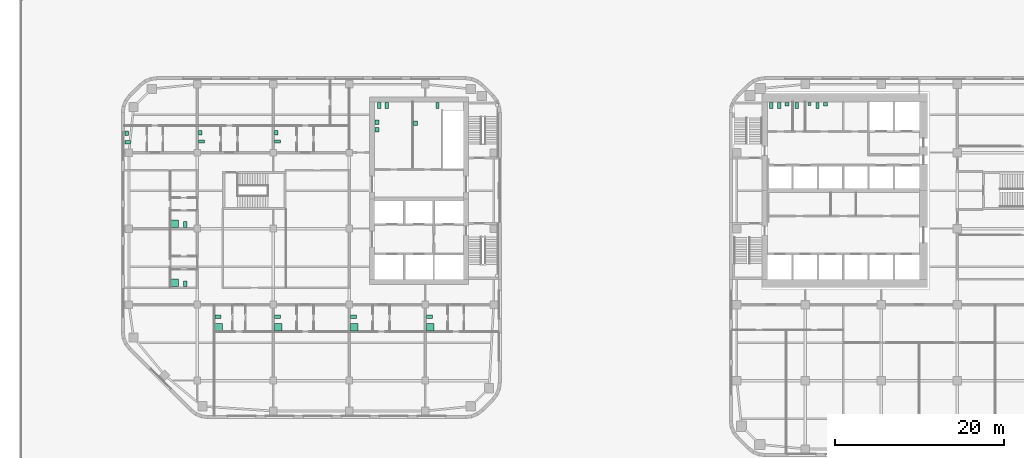
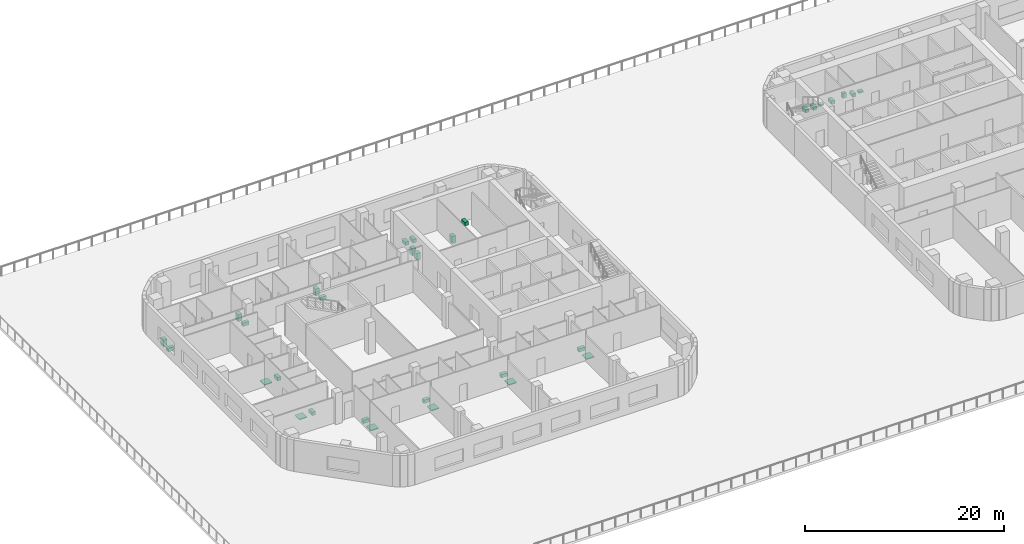
# One storey, part 18 of 18: 31 sanitary terminals.
"""IFC4 building model written with IfcOpenShell, lengths in metres."""

import ifcopenshell
import ifcopenshell.guid

model = None  # the IFC model being written
_history = None  # IfcOwnerHistory: only IFC2X3 demands one
_inside = {}  # id of a spatial element -> (the spatial element, [elements in it])
_under = {}  # id of a project, library or spatial element -> (it, [spatial elements below it])
_declared = {}  # id of a project -> (the project, [libraries it declares])
_typed = {}  # id of a type object -> (the type object, [elements of that type])
_made_of = {}  # id of a material, layer set ... -> (it, [elements and type objects made of it])


def new_model(schema):
    """Start an empty IFC model of exactly this schema.

    Asked for "IFC4X3", IfcOpenShell would pick the latest addendum, in which some entities
    have other attributes; the version numbers below select the first issue.
    IFC2X3 requires an IfcOwnerHistory on every rooted entity: one is made here for all.
    """
    global model, _history
    if schema == "IFC4X3":
        model = ifcopenshell.file(schema_version=(4, 3, 0, 0))
    else:
        model = ifcopenshell.file(schema=schema)
    _inside.clear()
    _under.clear()
    _declared.clear()
    _typed.clear()
    _made_of.clear()
    _history = None
    if model.schema == "IFC2X3":
        org = make("IfcOrganization", Name="unknown")
        user = make(
            "IfcPersonAndOrganization",
            ThePerson=make("IfcPerson", FamilyName="unknown"),
            TheOrganization=org,
        )
        app = make(
            "IfcApplication",
            ApplicationDeveloper=org,
            Version="unknown",
            ApplicationFullName="unknown",
            ApplicationIdentifier="unknown",
        )
        _history = make(
            "IfcOwnerHistory",
            OwningUser=user,
            OwningApplication=app,
            ChangeAction="ADDED",
            CreationDate=0,
        )
    return model


def make(cls, **values):
    """One entity of the class cls with the attributes given. An attribute that is None is left unset."""
    return model.create_entity(
        cls, **{name: value for name, value in values.items() if value is not None}
    )


def rooted(cls, **values):
    """An entity with a GlobalId (a new one), such as an element, a storey or a relation."""
    return make(cls, GlobalId=ifcopenshell.guid.new(), OwnerHistory=_history, **values)


def si_unit(unit_type, name, prefix=None):
    """IfcSIUnit, for example si_unit("LENGTHUNIT", "METRE", prefix="MILLI")."""
    return make("IfcSIUnit", UnitType=unit_type, Prefix=prefix, Name=name)


def assignment(units):
    """IfcUnitAssignment: the units of a project."""
    return None if units is None else make("IfcUnitAssignment", Units=units)


def point(xyz):
    """IfcCartesianPoint."""
    return None if xyz is None else make("IfcCartesianPoint", Coordinates=xyz)


def direction(xyz):
    """IfcDirection."""
    return None if xyz is None else make("IfcDirection", DirectionRatios=xyz)


def frame(location, z_axis=None, x_axis=None):
    """IfcAxis2Placement3D, a coordinate frame: its origin and axes. An axis left out is left unset."""
    return make(
        "IfcAxis2Placement3D",
        Location=point(location),
        Axis=direction(z_axis),
        RefDirection=direction(x_axis),
    )


def frame_2d(location, x_axis=None):
    """IfcAxis2Placement2D, a coordinate frame in the plane: its origin and x axis."""
    return make(
        "IfcAxis2Placement2D", Location=point(location), RefDirection=direction(x_axis)
    )


def origin():
    """The frame at (0, 0, 0) with its axes left unset."""
    return frame((0.0, 0.0, 0.0))


def origin_2d():
    """The frame at (0, 0) in the plane with its x axis left unset."""
    return frame_2d((0.0, 0.0))


def place(relative_to, where):
    """IfcLocalPlacement: puts the frame where relative to a parent placement (None: the world)."""
    return make(
        "IfcLocalPlacement", PlacementRelTo=relative_to, RelativePlacement=where
    )


def context(
    kind, dimensions, precision=None, world=None, true_north=None, identifier=None
):
    """IfcGeometricRepresentationContext, for example the 3D "Model" context."""
    return make(
        "IfcGeometricRepresentationContext",
        ContextIdentifier=identifier,
        ContextType=kind,
        CoordinateSpaceDimension=dimensions,
        Precision=precision,
        WorldCoordinateSystem=world,
        TrueNorth=true_north,
    )


def subcontext(parent, identifier, kind, view, scale=None):
    """IfcGeometricRepresentationSubContext, for example "Body" below "Model"."""
    return make(
        "IfcGeometricRepresentationSubContext",
        ContextIdentifier=identifier,
        ContextType=kind,
        ParentContext=parent,
        TargetScale=scale,
        TargetView=view,
    )


def project(units=None, contexts=None):
    """IfcProject with its units and contexts."""
    return rooted(
        "IfcProject",
        Name="project",
        RepresentationContexts=contexts,
        UnitsInContext=assignment(units),
    )


def spatial(cls, under=None, at=None, **own):
    """A site, building, storey or space (cls), placed at a placement, below another one or the project."""
    s = rooted(cls, ObjectPlacement=at, **own)
    if under is not None:
        _under.setdefault(under.id(), (under, []))[1].append(s)
    return s


def profile(cls, at=None, kind="AREA", **sizes):
    """A parametric profile (cls). Its sizes go by their IFC names, for example OverallWidth=200.0."""
    return make(cls, ProfileType=kind, Position=at, **sizes)


def rectangle(**sizes):
    """IfcRectangleProfileDef."""
    return profile("IfcRectangleProfileDef", **sizes)


def extrude(swept, where, along, depth):
    """IfcExtrudedAreaSolid: the profile swept, set in the frame where, extruded along a direction by depth."""
    return make(
        "IfcExtrudedAreaSolid",
        SweptArea=swept,
        Position=where,
        ExtrudedDirection=direction(along),
        Depth=depth,
    )


def shape(context_of_items, identifier, shape_type, items):
    """IfcShapeRepresentation: the items that make up one representation, for example the "Body"."""
    return make(
        "IfcShapeRepresentation",
        ContextOfItems=context_of_items,
        RepresentationIdentifier=identifier,
        RepresentationType=shape_type,
        Items=items,
    )


def material(Name=None, Category=None):
    """IfcMaterial."""
    return make("IfcMaterial", Name=Name, Category=Category)


def made_of(thing, what):
    """Note that an element or type object is made of a material, layer set ...; save() writes the relation."""
    if what is not None:
        _made_of.setdefault(what.id(), (what, []))[1].append(thing)
    return thing


def type_object(cls, material=None, **own):
    """A type object (cls), such as IfcWallType, which elements share."""
    return made_of(rooted(cls, **own), material)


def element(
    cls,
    number,
    at=None,
    inside=None,
    cuts=None,
    type_object=None,
    material=None,
    context=None,
    identifier="Body",
    shape_type=None,
    held_by="IfcProductDefinitionShape",
    body=None,
    shapes=None,
    **own,
):
    """One element of the class cls, such as IfcWall. Its Tag is "e" and its number.

    at: its placement. inside: the storey or other place that contains it. cuts: it is an
    opening in that element (IfcRelVoidsElement). A single representation is given by context,
    identifier, shape_type and body (its items); several are given by shapes. held_by: the class
    of the entity that holds the representations. save() writes the other relations.
    """
    e = rooted(cls, Tag="e%d" % number, ObjectPlacement=at, **own)
    if body is not None:
        shapes = [shape(context, identifier, shape_type, body)]
    if shapes is not None:
        e.Representation = make(held_by, Representations=shapes)
    if inside is not None:
        _inside.setdefault(inside.id(), (inside, []))[1].append(e)
    if cuts is not None:
        rooted(
            "IfcRelVoidsElement", RelatingBuildingElement=cuts, RelatedOpeningElement=e
        )
    if type_object is not None:
        _typed.setdefault(type_object.id(), (type_object, []))[1].append(e)
    return made_of(e, material)


def aggregate(whole, parts):
    """IfcRelAggregates: a whole, such as a stair, and the parts it consists of."""
    return rooted("IfcRelAggregates", RelatingObject=whole, RelatedObjects=parts)


def save(model, path):
    """Write the relations noted so far, then the file.

    IfcRelAggregates (storeys below a building ...), IfcRelContainedInSpatialStructure (elements
    in a storey), IfcRelDefinesByType, IfcRelAssociatesMaterial and IfcRelDeclares: one each for
    every whole, place, type object, material and project.
    """
    for whole, parts in _under.values():
        aggregate(whole, parts)
    for where, things in _inside.values():
        rooted(
            "IfcRelContainedInSpatialStructure",
            RelatedElements=things,
            RelatingStructure=where,
        )
    for kind, things in _typed.values():
        rooted("IfcRelDefinesByType", RelatedObjects=things, RelatingType=kind)
    for what, things in _made_of.values():
        rooted("IfcRelAssociatesMaterial", RelatedObjects=things, RelatingMaterial=what)
    for by, libraries in _declared.values():
        rooted("IfcRelDeclares", RelatingContext=by, RelatedDefinitions=libraries)
    model.write(path)


model = new_model("IFC4")

# Units and contexts
model_context = context("Model", 3, precision=1e-05, world=origin(), true_north=direction((0.0, 1.0)))
body_context = subcontext(model_context, "Body", "Model", "MODEL_VIEW")
ifc_project = project(units=[si_unit("LENGTHUNIT", "METRE"), si_unit("AREAUNIT", "SQUARE_METRE"), si_unit("VOLUMEUNIT", "CUBIC_METRE"), si_unit("PLANEANGLEUNIT", "RADIAN"), si_unit("MASSUNIT", "GRAM", prefix="KILO")], contexts=[model_context])

# Site, building, storey
site_placement = place(None, origin())
site = spatial("IfcSite", under=ifc_project, at=site_placement, CompositionType="ELEMENT")
building_placement = place(site_placement, origin())
building = spatial("IfcBuilding", under=site, at=building_placement, Name="Cinnabar Reach Civic Tower", CompositionType="ELEMENT")
storey_placement = place(building_placement, frame((0.0, 0.0, 26.0)))
storey = spatial("IfcBuildingStorey", under=building, at=storey_placement, Name="L05", CompositionType="ELEMENT", Elevation=26.0)

# Sanitary terminals
ifc_material_1 = material(Name="Vitreous china")
sanitary_terminal_type_1 = type_object("IfcSanitaryTerminalType", Name="T1 WC pan", PredefinedType="TOILETPAN", material=ifc_material_1)
for number, where, z_axis, x_axis, name in (
    (1, (4.95, 41.6, 0.0), (0.0, 0.0, 1.0), (1.0, 0.0, 0.0), "T1 WC pan 0507-1"),
    (2, (5.9, 41.6, 0.0), (0.0, 0.0, 1.0), (1.0, 0.0, 0.0), "T1 WC pan 0507-2"),
    (3, (8.0, 41.6, 0.0), (0.0, 0.0, 1.0), (1.0, 0.0, 0.0), "T1 WC pan 0508-1"),
    (4, (10.45, 41.6, 0.0), (0.0, 0.0, 1.0), (1.0, 0.0, 0.0), "T1 WC pan 0509-2"),
):
    element("IfcSanitaryTerminal", number, at=place(storey_placement, frame(where, z_axis=z_axis, x_axis=x_axis)), inside=storey, type_object=sanitary_terminal_type_1, Name=name, PredefinedType="TOILETPAN", context=body_context, shape_type="SweptSolid", body=[
        extrude(rectangle(XDim=0.4, YDim=0.7, at=origin_2d()), origin(), (0.0, 0.0, 1.0), 0.4),
    ])
sanitary_terminal_type_2 = type_object("IfcSanitaryTerminalType", Name="T1 urinal", PredefinedType="URINAL", material=ifc_material_1)
sanitary_terminal_placement = place(storey_placement, frame((9.5, 41.775, 0.0), z_axis=(0.0, 0.0, 1.0), x_axis=(1.0, 0.0, 0.0)))
element("IfcSanitaryTerminal", 5, at=sanitary_terminal_placement, inside=storey, type_object=sanitary_terminal_type_2, Name="T1 urinal 0509-1", PredefinedType="URINAL", context=body_context, shape_type="SweptSolid", body=[
    extrude(rectangle(XDim=0.4, YDim=0.35, at=origin_2d()), origin(), (0.0, 0.0, 1.0), 0.6),
])
sanitary_terminal_type_3 = type_object("IfcSanitaryTerminalType", Name="T1 wash basin", PredefinedType="WASHHANDBASIN", material=ifc_material_1)
for number, where, z_axis, x_axis, name in (
    (6, (6.85, 41.74, 0.0), (0.0, 0.0, 1.0), (1.0, 0.0, 0.0), "T1 wash basin 0507-3"),
    (7, (11.4, 41.74, 0.0), (0.0, 0.0, 1.0), (1.0, 0.0, 0.0), "T1 wash basin 0509-3"),
):
    element("IfcSanitaryTerminal", number, at=place(storey_placement, frame(where, z_axis=z_axis, x_axis=x_axis)), inside=storey, type_object=sanitary_terminal_type_3, Name=name, PredefinedType="WASHHANDBASIN", context=body_context, shape_type="SweptSolid", body=[
        extrude(rectangle(XDim=0.5, YDim=0.42, at=origin_2d()), origin(), (0.0, 0.0, 1.0), 0.2),
    ])
ifc_material_2 = material(Name="Acrylic tray")
sanitary_terminal_type_4 = type_object("IfcSanitaryTerminalType", Name="T2 Shower tray", PredefinedType="SHOWER", material=ifc_material_2)
for number, where, z_axis, x_axis, name in (
    (8, (-60.45, 15.3, 0.0), (0.0, 0.0, 1.0), (1.0, 0.0, 0.0), "Shower tray"),
    (9, (-53.425, 15.3, 0.0), (0.0, 0.0, 1.0), (1.0, 0.0, 0.0), "Shower tray"),
    (10, (-44.425, 15.3, 0.0), (0.0, 0.0, 1.0), (1.0, 0.0, 0.0), "Shower tray"),
    (11, (-35.425, 15.3, 0.0), (0.0, 0.0, 1.0), (1.0, 0.0, 0.0), "Shower tray"),
    (12, (-65.7, 20.575, 0.0), (0.0, 0.0, 1.0), (1.0, 0.0, 0.0), "Shower tray"),
    (13, (-65.7, 27.575, 0.0), (0.0, 0.0, 1.0), (1.0, 0.0, 0.0), "Shower tray"),
):
    element("IfcSanitaryTerminal", number, at=place(storey_placement, frame(where, z_axis=z_axis, x_axis=x_axis)), inside=storey, type_object=sanitary_terminal_type_4, Name=name, PredefinedType="SHOWER", context=body_context, shape_type="SweptSolid", body=[
        extrude(rectangle(XDim=0.9, YDim=0.9, at=origin_2d()), origin(), (0.0, 0.0, 1.0), 0.1),
    ])
sanitary_terminal_type_5 = type_object("IfcSanitaryTerminalType", Name="T2 WC pan", PredefinedType="TOILETPAN", material=ifc_material_1)
for number, where, z_axis, x_axis, name in (
    (14, (-41.45, 41.6, 0.0), (0.0, 0.0, 1.0), (1.0, 0.0, 0.0), "WC pan"),
    (15, (-40.55, 41.6, 0.0), (0.0, 0.0, 1.0), (1.0, 0.0, 0.0), "WC pan"),
    (16, (-34.55, 41.6, 0.0), (0.0, 0.0, 1.0), (1.0, 0.0, 0.0), "WC pan"),
):
    element("IfcSanitaryTerminal", number, at=place(storey_placement, frame(where, z_axis=z_axis, x_axis=x_axis)), inside=storey, type_object=sanitary_terminal_type_5, Name=name, PredefinedType="TOILETPAN", context=body_context, shape_type="SweptSolid", body=[
        extrude(rectangle(XDim=0.4, YDim=0.7, at=origin_2d()), origin(), (0.0, 0.0, 1.0), 0.42),
    ])
for number, where, z_axis, x_axis, name in (
    (17, (-60.55, 16.55, 0.0), (0.0, 0.0, 1.0), (1.0, 0.0, 0.0), "WC pan"),
    (18, (-53.525, 16.55, 0.0), (0.0, 0.0, 1.0), (1.0, 0.0, 0.0), "WC pan"),
    (19, (-44.525, 16.55, 0.0), (0.0, 0.0, 1.0), (1.0, 0.0, 0.0), "WC pan"),
    (20, (-35.525, 16.55, 0.0), (0.0, 0.0, 1.0), (1.0, 0.0, 0.0), "WC pan"),
    (21, (-71.24, 37.25, 0.0), (0.0, 0.0, 1.0), (1.0, 0.0, 0.0), "WC pan"),
    (22, (-62.525, 37.325, 0.0), (0.0, 0.0, 1.0), (1.0, 0.0, 0.0), "WC pan"),
    (23, (-53.525, 37.325, 0.0), (0.0, 0.0, 1.0), (1.0, 0.0, 0.0), "WC pan"),
):
    element("IfcSanitaryTerminal", number, at=place(storey_placement, frame(where, z_axis=z_axis, x_axis=x_axis)), inside=storey, type_object=sanitary_terminal_type_5, Name=name, PredefinedType="TOILETPAN", context=body_context, shape_type="SweptSolid", body=[
        extrude(rectangle(XDim=0.7, YDim=0.4, at=origin_2d()), origin(), (0.0, 0.0, 1.0), 0.42),
    ])
for number, where, z_axis, x_axis, name in (
    (24, (-64.45, 20.475, 0.0), (0.0, 0.0, 1.0), (1.0, 0.0, 0.0), "WC pan"),
    (25, (-64.45, 27.475, 0.0), (0.0, 0.0, 1.0), (1.0, 0.0, 0.0), "WC pan"),
):
    element("IfcSanitaryTerminal", number, at=place(storey_placement, frame(where, z_axis=z_axis, x_axis=x_axis)), inside=storey, type_object=sanitary_terminal_type_5, Name=name, PredefinedType="TOILETPAN", context=body_context, shape_type="SweptSolid", body=[
        extrude(rectangle(XDim=0.4, YDim=0.7, at=origin_2d()), origin(), (0.0, 0.0, 1.0), 0.42),
    ])
sanitary_terminal_type_6 = type_object("IfcSanitaryTerminalType", Name="T2 Wash basin", PredefinedType="WASHHANDBASIN", material=ifc_material_1)
for number, where, z_axis, x_axis, name in (
    (26, (-41.725, 39.6, 0.0), (0.0, 0.0, 1.0), (1.0, 0.0, 0.0), "Wash basin"),
    (27, (-41.725, 38.7, 0.0), (0.0, 0.0, 1.0), (1.0, 0.0, 0.0), "Wash basin"),
    (28, (-37.175, 39.5, 0.0), (0.0, 0.0, 1.0), (1.0, 0.0, 0.0), "Wash basin"),
    (29, (-71.365, 38.3, 0.0), (0.0, 0.0, 1.0), (1.0, 0.0, 0.0), "Wash basin"),
    (30, (-62.65, 38.375, 0.0), (0.0, 0.0, 1.0), (1.0, 0.0, 0.0), "Wash basin"),
    (31, (-53.65, 38.375, 0.0), (0.0, 0.0, 1.0), (1.0, 0.0, 0.0), "Wash basin"),
):
    element("IfcSanitaryTerminal", number, at=place(storey_placement, frame(where, z_axis=z_axis, x_axis=x_axis)), inside=storey, type_object=sanitary_terminal_type_6, Name=name, PredefinedType="WASHHANDBASIN", context=body_context, shape_type="SweptSolid", body=[
        extrude(rectangle(XDim=0.45, YDim=0.55, at=origin_2d()), origin(), (0.0, 0.0, 1.0), 0.85),
    ])

save(model, "model.ifc")
